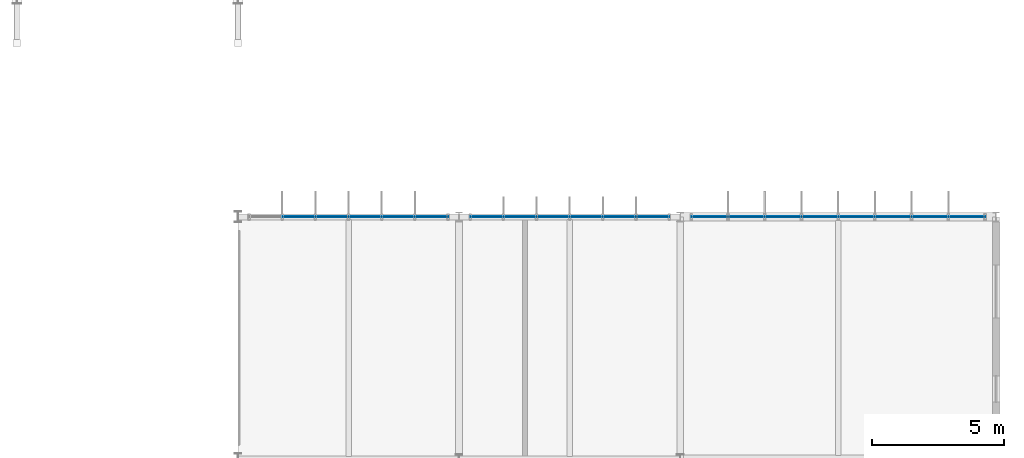
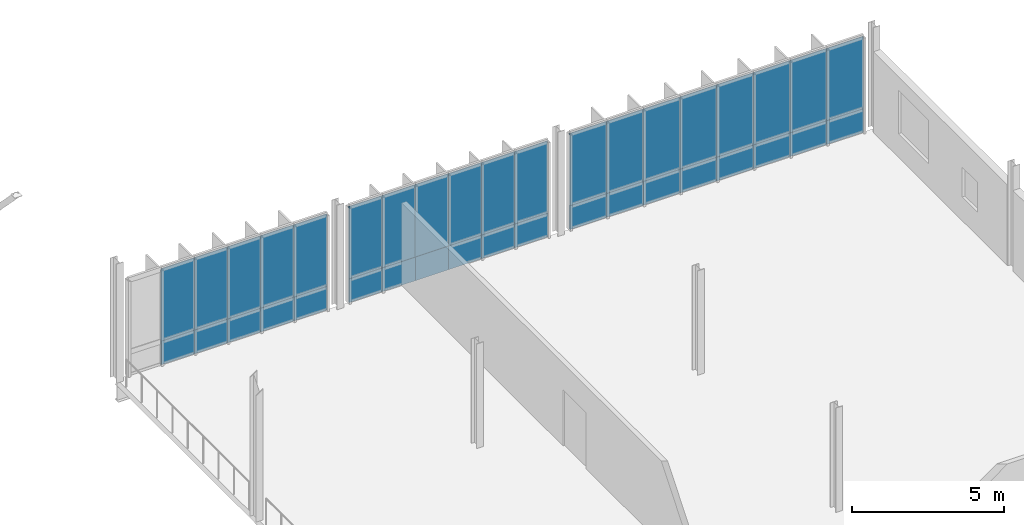
# One storey, part 81 of 107: 38 plates, 3 elements without a shape of their own.
"""IFC4 building model written with IfcOpenShell, lengths in metres."""

from ifc_helpers import new_model, si_unit, derived_unit, direction, frame, origin, origin_2d, place, context, subcontext, project, spatial, rectangle, extrude, material, layer, layer_set, type_object, element, aggregate, save


model = new_model("IFC4")

# Units and contexts
model_context = context("Model", 3, precision=1e-05, world=origin(), true_north=direction((0.0, 1.0)))
body_context = subcontext(model_context, "Body", "Model", "MODEL_VIEW")
ifc_project = project(units=[si_unit("LENGTHUNIT", "METRE"), si_unit("AREAUNIT", "SQUARE_METRE"), si_unit("VOLUMEUNIT", "CUBIC_METRE"), si_unit("PLANEANGLEUNIT", "RADIAN"), si_unit("MASSUNIT", "GRAM", prefix="KILO"), derived_unit("THERMALTRANSMITTANCEUNIT", [(si_unit("MASSUNIT", "GRAM", prefix="KILO"), 1), (si_unit("TIMEUNIT", "SECOND"), -3), (si_unit("THERMODYNAMICTEMPERATUREUNIT", "KELVIN"), -1)])], contexts=[model_context])

# Site, building, storey
site_placement = place(None, origin())
site = spatial("IfcSite", under=ifc_project, at=site_placement, CompositionType="ELEMENT")
building_placement = place(site_placement, origin())
building = spatial("IfcBuilding", under=site, at=building_placement, Name="Makaiwela Harbour Ferry Terminal", CompositionType="ELEMENT")
storey_placement = place(building_placement, frame((0.0, 0.0, 9.60009765625)))
storey = spatial("IfcBuildingStorey", under=building, at=storey_placement, Name="L02", CompositionType="ELEMENT", Elevation=9.60009765625)

# Curtain wall, plates
ifc_material_1 = material(Name="Marine anodised aluminium 6063-T6", Category="aluminium")
ifc_layer_1 = layer(ifc_material_1, 0.199951171875)
ifc_layer_set_1 = layer_set([ifc_layer_1], Name="Marine anodised aluminium 6063-T6")
curtain_wall_type_1 = type_object("IfcCurtainWallType", Name="ENV-CW-09", PredefinedType="USERDEFINED", material=ifc_layer_set_1)
curtain_wall_1_placement = place(storey_placement, origin())
curtain_wall_1 = element("IfcCurtainWall", 1, at=curtain_wall_1_placement, inside=storey, type_object=curtain_wall_type_1, Name="Unitised Curtain Wall CWA-122", ObjectType="UNITIZED CURTAIN WALL", PredefinedType="USERDEFINED")
ifc_material_2 = material(Name="Laminated hurricane-impact low-E insulated glazing", Category="glass")
ifc_layer_2 = layer(ifc_material_2, 0.031982421875)
ifc_layer_set_2 = layer_set([ifc_layer_2], Name="Laminated hurricane-impact low-E insulated glazing")
plate_type_1 = type_object("IfcPlateType", Name="CW-PNL-G13", PredefinedType="CURTAIN_PANEL", material=ifc_layer_set_2)
plate_1_placement = place(storey_placement, frame((140.909912109375, 95.0, 0.949951171875), z_axis=(0.0, 0.0, 1.0), x_axis=(1.0, 0.0, 0.0)))
plate_1 = element("IfcPlate", 2, at=plate_1_placement, type_object=plate_type_1, Name="Glazed Vision Panel CWA-122-2G", PredefinedType="CURTAIN_PANEL", context=body_context, shape_type="SweptSolid", body=[
    extrude(rectangle(XDim=1.260009765625, YDim=0.031982421875, at=origin_2d()), origin(), (0.0, 0.0, 1.0), 2.89990234375),
])
plate_2_placement = place(storey_placement, frame((142.169921875, 95.0, 0.949951171875), z_axis=(0.0, 0.0, 1.0), x_axis=(1.0, 0.0, 0.0)))
plate_2 = element("IfcPlate", 3, at=plate_2_placement, type_object=plate_type_1, Name="Glazed Vision Panel CWA-122-3G", PredefinedType="CURTAIN_PANEL", context=body_context, shape_type="SweptSolid", body=[
    extrude(rectangle(XDim=1.260009765625, YDim=0.031982421875, at=origin_2d()), origin(), (0.0, 0.0, 1.0), 2.89990234375),
])
plate_3_placement = place(storey_placement, frame((143.429931640625, 95.0, 0.949951171875), z_axis=(0.0, 0.0, 1.0), x_axis=(1.0, 0.0, 0.0)))
plate_3 = element("IfcPlate", 4, at=plate_3_placement, type_object=plate_type_1, Name="Glazed Vision Panel CWA-122-4G", PredefinedType="CURTAIN_PANEL", context=body_context, shape_type="SweptSolid", body=[
    extrude(rectangle(XDim=1.260009765625, YDim=0.031982421875, at=origin_2d()), origin(), (0.0, 0.0, 1.0), 2.89990234375),
])
plate_4_placement = place(storey_placement, frame((144.68994140625, 95.0, 0.949951171875), z_axis=(0.0, 0.0, 1.0), x_axis=(1.0, 0.0, 0.0)))
plate_4 = element("IfcPlate", 5, at=plate_4_placement, type_object=plate_type_1, Name="Glazed Vision Panel CWA-122-5G", PredefinedType="CURTAIN_PANEL", context=body_context, shape_type="SweptSolid", body=[
    extrude(rectangle(XDim=1.260009765625, YDim=0.031982421875, at=origin_2d()), origin(), (0.0, 0.0, 1.0), 2.89990234375),
])
plate_5_placement = place(storey_placement, frame((145.949951171875, 95.0, 0.949951171875), z_axis=(0.0, 0.0, 1.0), x_axis=(1.0, 0.0, 0.0)))
plate_5 = element("IfcPlate", 6, at=plate_5_placement, type_object=plate_type_1, Name="Glazed Vision Panel CWA-122-6G", PredefinedType="CURTAIN_PANEL", context=body_context, shape_type="SweptSolid", body=[
    extrude(rectangle(XDim=1.260009765625, YDim=0.031982421875, at=origin_2d()), origin(), (0.0, 0.0, 1.0), 2.89990234375),
])

curtain_wall_2_placement = place(storey_placement, origin())
curtain_wall_2 = element("IfcCurtainWall", 7, at=curtain_wall_2_placement, inside=storey, type_object=curtain_wall_type_1, Name="Unitised Curtain Wall CWA-126", ObjectType="UNITIZED CURTAIN WALL", PredefinedType="USERDEFINED")
plate_6_placement = place(storey_placement, frame((148.050048828125, 95.0, 0.949951171875), z_axis=(0.0, 0.0, 1.0), x_axis=(1.0, 0.0, 0.0)))
plate_6 = element("IfcPlate", 8, at=plate_6_placement, type_object=plate_type_1, Name="Glazed Vision Panel CWA-126-1G", PredefinedType="CURTAIN_PANEL", context=body_context, shape_type="SweptSolid", body=[
    extrude(rectangle(XDim=1.260009765625, YDim=0.031982421875, at=origin_2d()), origin(), (0.0, 0.0, 1.0), 2.89990234375),
])
plate_7_placement = place(storey_placement, frame((149.31005859375, 95.0, 0.949951171875), z_axis=(0.0, 0.0, 1.0), x_axis=(1.0, 0.0, 0.0)))
plate_7 = element("IfcPlate", 9, at=plate_7_placement, type_object=plate_type_1, Name="Glazed Vision Panel CWA-126-2G", PredefinedType="CURTAIN_PANEL", context=body_context, shape_type="SweptSolid", body=[
    extrude(rectangle(XDim=1.260009765625, YDim=0.031982421875, at=origin_2d()), origin(), (0.0, 0.0, 1.0), 2.89990234375),
])
plate_8_placement = place(storey_placement, frame((150.570068359375, 95.0, 0.949951171875), z_axis=(0.0, 0.0, 1.0), x_axis=(1.0, 0.0, 0.0)))
plate_8 = element("IfcPlate", 10, at=plate_8_placement, type_object=plate_type_1, Name="Glazed Vision Panel CWA-126-3G", PredefinedType="CURTAIN_PANEL", context=body_context, shape_type="SweptSolid", body=[
    extrude(rectangle(XDim=1.260009765625, YDim=0.031982421875, at=origin_2d()), origin(), (0.0, 0.0, 1.0), 2.89990234375),
])
plate_9_placement = place(storey_placement, frame((151.830078125, 95.0, 0.949951171875), z_axis=(0.0, 0.0, 1.0), x_axis=(1.0, 0.0, 0.0)))
plate_9 = element("IfcPlate", 11, at=plate_9_placement, type_object=plate_type_1, Name="Glazed Vision Panel CWA-126-4G", PredefinedType="CURTAIN_PANEL", context=body_context, shape_type="SweptSolid", body=[
    extrude(rectangle(XDim=1.260009765625, YDim=0.031982421875, at=origin_2d()), origin(), (0.0, 0.0, 1.0), 2.89990234375),
])
plate_10_placement = place(storey_placement, frame((153.090087890625, 95.0, 0.949951171875), z_axis=(0.0, 0.0, 1.0), x_axis=(1.0, 0.0, 0.0)))
plate_10 = element("IfcPlate", 12, at=plate_10_placement, type_object=plate_type_1, Name="Glazed Vision Panel CWA-126-5G", PredefinedType="CURTAIN_PANEL", context=body_context, shape_type="SweptSolid", body=[
    extrude(rectangle(XDim=1.260009765625, YDim=0.031982421875, at=origin_2d()), origin(), (0.0, 0.0, 1.0), 2.89990234375),
])
plate_11_placement = place(storey_placement, frame((154.35009765625, 95.0, 0.949951171875), z_axis=(0.0, 0.0, 1.0), x_axis=(1.0, 0.0, 0.0)))
plate_11 = element("IfcPlate", 13, at=plate_11_placement, type_object=plate_type_1, Name="Glazed Vision Panel CWA-126-6G", PredefinedType="CURTAIN_PANEL", context=body_context, shape_type="SweptSolid", body=[
    extrude(rectangle(XDim=1.260009765625, YDim=0.031982421875, at=origin_2d()), origin(), (0.0, 0.0, 1.0), 2.89990234375),
])

ifc_layer_3 = layer(ifc_material_1, 0.199951171875)
ifc_layer_set_3 = layer_set([ifc_layer_3], Name="Marine anodised aluminium 6063-T6")
curtain_wall_type_2 = type_object("IfcCurtainWallType", Name="ENV-CW-18", PredefinedType="USERDEFINED", material=ifc_layer_set_3)
curtain_wall_3_placement = place(storey_placement, origin())
curtain_wall_3 = element("IfcCurtainWall", 14, at=curtain_wall_3_placement, inside=storey, type_object=curtain_wall_type_2, Name="Unitised Curtain Wall CWA-130", ObjectType="UNITIZED CURTAIN WALL", PredefinedType="USERDEFINED")
ifc_layer_4 = layer(ifc_material_2, 0.031982421875)
ifc_layer_set_4 = layer_set([ifc_layer_4], Name="Laminated hurricane-impact low-E insulated glazing")
plate_type_2 = type_object("IfcPlateType", Name="CW-PNL-G24", PredefinedType="CURTAIN_PANEL", material=ifc_layer_set_4)
plate_12_placement = place(storey_placement, frame((156.517578125, 95.0, 0.949951171875), z_axis=(0.0, 0.0, 1.0), x_axis=(1.0, 0.0, 0.0)))
plate_12 = element("IfcPlate", 15, at=plate_12_placement, type_object=plate_type_2, Name="Glazed Vision Panel CWA-130-1G", PredefinedType="CURTAIN_PANEL", context=body_context, shape_type="SweptSolid", body=[
    extrude(rectangle(XDim=1.39501953125, YDim=0.031982421875, at=origin_2d()), origin(), (0.0, 0.0, 1.0), 2.89990234375),
])
plate_13_placement = place(storey_placement, frame((157.91259765625, 95.0, 0.949951171875), z_axis=(0.0, 0.0, 1.0), x_axis=(1.0, 0.0, 0.0)))
plate_13 = element("IfcPlate", 16, at=plate_13_placement, type_object=plate_type_2, Name="Glazed Vision Panel CWA-130-2G", PredefinedType="CURTAIN_PANEL", context=body_context, shape_type="SweptSolid", body=[
    extrude(rectangle(XDim=1.39501953125, YDim=0.031982421875, at=origin_2d()), origin(), (0.0, 0.0, 1.0), 2.89990234375),
])
plate_14_placement = place(storey_placement, frame((159.3076171875, 95.0, 0.949951171875), z_axis=(0.0, 0.0, 1.0), x_axis=(1.0, 0.0, 0.0)))
plate_14 = element("IfcPlate", 17, at=plate_14_placement, type_object=plate_type_2, Name="Glazed Vision Panel CWA-130-3G", PredefinedType="CURTAIN_PANEL", context=body_context, shape_type="SweptSolid", body=[
    extrude(rectangle(XDim=1.39501953125, YDim=0.031982421875, at=origin_2d()), origin(), (0.0, 0.0, 1.0), 2.89990234375),
])
plate_15_placement = place(storey_placement, frame((160.702392578125, 95.0, 0.949951171875), z_axis=(0.0, 0.0, 1.0), x_axis=(1.0, 0.0, 0.0)))
plate_15 = element("IfcPlate", 18, at=plate_15_placement, type_object=plate_type_2, Name="Glazed Vision Panel CWA-130-4G", PredefinedType="CURTAIN_PANEL", context=body_context, shape_type="SweptSolid", body=[
    extrude(rectangle(XDim=1.39501953125, YDim=0.031982421875, at=origin_2d()), origin(), (0.0, 0.0, 1.0), 2.89990234375),
])
plate_16_placement = place(storey_placement, frame((162.097412109375, 95.0, 0.949951171875), z_axis=(0.0, 0.0, 1.0), x_axis=(1.0, 0.0, 0.0)))
plate_16 = element("IfcPlate", 19, at=plate_16_placement, type_object=plate_type_2, Name="Glazed Vision Panel CWA-130-5G", PredefinedType="CURTAIN_PANEL", context=body_context, shape_type="SweptSolid", body=[
    extrude(rectangle(XDim=1.39501953125, YDim=0.031982421875, at=origin_2d()), origin(), (0.0, 0.0, 1.0), 2.89990234375),
])
plate_17_placement = place(storey_placement, frame((163.492431640625, 95.0, 0.949951171875), z_axis=(0.0, 0.0, 1.0), x_axis=(1.0, 0.0, 0.0)))
plate_17 = element("IfcPlate", 20, at=plate_17_placement, type_object=plate_type_2, Name="Glazed Vision Panel CWA-130-6G", PredefinedType="CURTAIN_PANEL", context=body_context, shape_type="SweptSolid", body=[
    extrude(rectangle(XDim=1.39501953125, YDim=0.031982421875, at=origin_2d()), origin(), (0.0, 0.0, 1.0), 2.89990234375),
])
plate_18_placement = place(storey_placement, frame((164.887451171875, 95.0, 0.949951171875), z_axis=(0.0, 0.0, 1.0), x_axis=(1.0, 0.0, 0.0)))
plate_18 = element("IfcPlate", 21, at=plate_18_placement, type_object=plate_type_2, Name="Glazed Vision Panel CWA-130-7G", PredefinedType="CURTAIN_PANEL", context=body_context, shape_type="SweptSolid", body=[
    extrude(rectangle(XDim=1.39501953125, YDim=0.031982421875, at=origin_2d()), origin(), (0.0, 0.0, 1.0), 2.89990234375),
])
plate_19_placement = place(storey_placement, frame((166.282470703125, 95.0, 0.949951171875), z_axis=(0.0, 0.0, 1.0), x_axis=(1.0, 0.0, 0.0)))
plate_19 = element("IfcPlate", 22, at=plate_19_placement, type_object=plate_type_2, Name="Glazed Vision Panel CWA-130-8G", PredefinedType="CURTAIN_PANEL", context=body_context, shape_type="SweptSolid", body=[
    extrude(rectangle(XDim=1.39501953125, YDim=0.031982421875, at=origin_2d()), origin(), (0.0, 0.0, 1.0), 2.89990234375),
])

# Plate
ifc_material_3 = material(Name="Insulated marine aluminium spandrel panel", Category="aluminium")
ifc_layer_5 = layer(ifc_material_3, 0.048095703125)
ifc_layer_set_5 = layer_set([ifc_layer_5], Name="Insulated marine aluminium spandrel panel")
plate_type_3 = type_object("IfcPlateType", Name="CW-PNL-S11", PredefinedType="CURTAIN_PANEL", material=ifc_layer_set_5)
plate_20_placement = place(storey_placement, frame((140.909912109375, 95.0, 0.0), z_axis=(0.0, 0.0, 1.0), x_axis=(1.0, 0.0, 0.0)))
plate_20 = element("IfcPlate", 23, at=plate_20_placement, type_object=plate_type_3, Name="Spandrel Panel CWA-122-2S", PredefinedType="CURTAIN_PANEL", context=body_context, shape_type="SweptSolid", body=[
    extrude(rectangle(XDim=1.260009765625, YDim=0.048095703125, at=origin_2d()), origin(), (0.0, 0.0, 1.0), 0.949951171875),
])

plate_21_placement = place(storey_placement, frame((142.169921875, 95.0, 0.0), z_axis=(0.0, 0.0, 1.0), x_axis=(1.0, 0.0, 0.0)))
plate_21 = element("IfcPlate", 24, at=plate_21_placement, type_object=plate_type_3, Name="Spandrel Panel CWA-122-3S", PredefinedType="CURTAIN_PANEL", context=body_context, shape_type="SweptSolid", body=[
    extrude(rectangle(XDim=1.260009765625, YDim=0.048095703125, at=origin_2d()), origin(), (0.0, 0.0, 1.0), 0.949951171875),
])

plate_22_placement = place(storey_placement, frame((143.429931640625, 95.0, 0.0), z_axis=(0.0, 0.0, 1.0), x_axis=(1.0, 0.0, 0.0)))
plate_22 = element("IfcPlate", 25, at=plate_22_placement, type_object=plate_type_3, Name="Spandrel Panel CWA-122-4S", PredefinedType="CURTAIN_PANEL", context=body_context, shape_type="SweptSolid", body=[
    extrude(rectangle(XDim=1.260009765625, YDim=0.048095703125, at=origin_2d()), origin(), (0.0, 0.0, 1.0), 0.949951171875),
])

plate_23_placement = place(storey_placement, frame((144.68994140625, 95.0, 0.0), z_axis=(0.0, 0.0, 1.0), x_axis=(1.0, 0.0, 0.0)))
plate_23 = element("IfcPlate", 26, at=plate_23_placement, type_object=plate_type_3, Name="Spandrel Panel CWA-122-5S", PredefinedType="CURTAIN_PANEL", context=body_context, shape_type="SweptSolid", body=[
    extrude(rectangle(XDim=1.260009765625, YDim=0.048095703125, at=origin_2d()), origin(), (0.0, 0.0, 1.0), 0.949951171875),
])

plate_24_placement = place(storey_placement, frame((145.949951171875, 95.0, 0.0), z_axis=(0.0, 0.0, 1.0), x_axis=(1.0, 0.0, 0.0)))
plate_24 = element("IfcPlate", 27, at=plate_24_placement, type_object=plate_type_3, Name="Spandrel Panel CWA-122-6S", PredefinedType="CURTAIN_PANEL", context=body_context, shape_type="SweptSolid", body=[
    extrude(rectangle(XDim=1.260009765625, YDim=0.048095703125, at=origin_2d()), origin(), (0.0, 0.0, 1.0), 0.949951171875),
])

aggregate(curtain_wall_1, [plate_20, plate_1, plate_21, plate_2, plate_22, plate_3, plate_23, plate_4, plate_24, plate_5])

plate_25_placement = place(storey_placement, frame((148.050048828125, 95.0, 0.0), z_axis=(0.0, 0.0, 1.0), x_axis=(1.0, 0.0, 0.0)))
plate_25 = element("IfcPlate", 28, at=plate_25_placement, type_object=plate_type_3, Name="Spandrel Panel CWA-126-1S", PredefinedType="CURTAIN_PANEL", context=body_context, shape_type="SweptSolid", body=[
    extrude(rectangle(XDim=1.260009765625, YDim=0.048095703125, at=origin_2d()), origin(), (0.0, 0.0, 1.0), 0.949951171875),
])

plate_26_placement = place(storey_placement, frame((149.31005859375, 95.0, 0.0), z_axis=(0.0, 0.0, 1.0), x_axis=(1.0, 0.0, 0.0)))
plate_26 = element("IfcPlate", 29, at=plate_26_placement, type_object=plate_type_3, Name="Spandrel Panel CWA-126-2S", PredefinedType="CURTAIN_PANEL", context=body_context, shape_type="SweptSolid", body=[
    extrude(rectangle(XDim=1.260009765625, YDim=0.048095703125, at=origin_2d()), origin(), (0.0, 0.0, 1.0), 0.949951171875),
])

plate_27_placement = place(storey_placement, frame((150.570068359375, 95.0, 0.0), z_axis=(0.0, 0.0, 1.0), x_axis=(1.0, 0.0, 0.0)))
plate_27 = element("IfcPlate", 30, at=plate_27_placement, type_object=plate_type_3, Name="Spandrel Panel CWA-126-3S", PredefinedType="CURTAIN_PANEL", context=body_context, shape_type="SweptSolid", body=[
    extrude(rectangle(XDim=1.260009765625, YDim=0.048095703125, at=origin_2d()), origin(), (0.0, 0.0, 1.0), 0.949951171875),
])

plate_28_placement = place(storey_placement, frame((151.830078125, 95.0, 0.0), z_axis=(0.0, 0.0, 1.0), x_axis=(1.0, 0.0, 0.0)))
plate_28 = element("IfcPlate", 31, at=plate_28_placement, type_object=plate_type_3, Name="Spandrel Panel CWA-126-4S", PredefinedType="CURTAIN_PANEL", context=body_context, shape_type="SweptSolid", body=[
    extrude(rectangle(XDim=1.260009765625, YDim=0.048095703125, at=origin_2d()), origin(), (0.0, 0.0, 1.0), 0.949951171875),
])

plate_29_placement = place(storey_placement, frame((153.090087890625, 95.0, 0.0), z_axis=(0.0, 0.0, 1.0), x_axis=(1.0, 0.0, 0.0)))
plate_29 = element("IfcPlate", 32, at=plate_29_placement, type_object=plate_type_3, Name="Spandrel Panel CWA-126-5S", PredefinedType="CURTAIN_PANEL", context=body_context, shape_type="SweptSolid", body=[
    extrude(rectangle(XDim=1.260009765625, YDim=0.048095703125, at=origin_2d()), origin(), (0.0, 0.0, 1.0), 0.949951171875),
])

plate_30_placement = place(storey_placement, frame((154.35009765625, 95.0, 0.0), z_axis=(0.0, 0.0, 1.0), x_axis=(1.0, 0.0, 0.0)))
plate_30 = element("IfcPlate", 33, at=plate_30_placement, type_object=plate_type_3, Name="Spandrel Panel CWA-126-6S", PredefinedType="CURTAIN_PANEL", context=body_context, shape_type="SweptSolid", body=[
    extrude(rectangle(XDim=1.260009765625, YDim=0.048095703125, at=origin_2d()), origin(), (0.0, 0.0, 1.0), 0.949951171875),
])

aggregate(curtain_wall_2, [plate_25, plate_6, plate_26, plate_7, plate_27, plate_8, plate_28, plate_9, plate_29, plate_10, plate_30, plate_11])

ifc_layer_6 = layer(ifc_material_3, 0.048095703125)
ifc_layer_set_6 = layer_set([ifc_layer_6], Name="Insulated marine aluminium spandrel panel")
plate_type_4 = type_object("IfcPlateType", Name="CW-PNL-S21", PredefinedType="CURTAIN_PANEL", material=ifc_layer_set_6)
plate_31_placement = place(storey_placement, frame((156.517578125, 95.0, 0.0), z_axis=(0.0, 0.0, 1.0), x_axis=(1.0, 0.0, 0.0)))
plate_31 = element("IfcPlate", 34, at=plate_31_placement, type_object=plate_type_4, Name="Spandrel Panel CWA-130-1S", PredefinedType="CURTAIN_PANEL", context=body_context, shape_type="SweptSolid", body=[
    extrude(rectangle(XDim=1.39501953125, YDim=0.048095703125, at=origin_2d()), origin(), (0.0, 0.0, 1.0), 0.949951171875),
])

plate_32_placement = place(storey_placement, frame((157.91259765625, 95.0, 0.0), z_axis=(0.0, 0.0, 1.0), x_axis=(1.0, 0.0, 0.0)))
plate_32 = element("IfcPlate", 35, at=plate_32_placement, type_object=plate_type_4, Name="Spandrel Panel CWA-130-2S", PredefinedType="CURTAIN_PANEL", context=body_context, shape_type="SweptSolid", body=[
    extrude(rectangle(XDim=1.39501953125, YDim=0.048095703125, at=origin_2d()), origin(), (0.0, 0.0, 1.0), 0.949951171875),
])

plate_33_placement = place(storey_placement, frame((159.3076171875, 95.0, 0.0), z_axis=(0.0, 0.0, 1.0), x_axis=(1.0, 0.0, 0.0)))
plate_33 = element("IfcPlate", 36, at=plate_33_placement, type_object=plate_type_4, Name="Spandrel Panel CWA-130-3S", PredefinedType="CURTAIN_PANEL", context=body_context, shape_type="SweptSolid", body=[
    extrude(rectangle(XDim=1.39501953125, YDim=0.048095703125, at=origin_2d()), origin(), (0.0, 0.0, 1.0), 0.949951171875),
])

plate_34_placement = place(storey_placement, frame((160.702392578125, 95.0, 0.0), z_axis=(0.0, 0.0, 1.0), x_axis=(1.0, 0.0, 0.0)))
plate_34 = element("IfcPlate", 37, at=plate_34_placement, type_object=plate_type_4, Name="Spandrel Panel CWA-130-4S", PredefinedType="CURTAIN_PANEL", context=body_context, shape_type="SweptSolid", body=[
    extrude(rectangle(XDim=1.39501953125, YDim=0.048095703125, at=origin_2d()), origin(), (0.0, 0.0, 1.0), 0.949951171875),
])

plate_35_placement = place(storey_placement, frame((162.097412109375, 95.0, 0.0), z_axis=(0.0, 0.0, 1.0), x_axis=(1.0, 0.0, 0.0)))
plate_35 = element("IfcPlate", 38, at=plate_35_placement, type_object=plate_type_4, Name="Spandrel Panel CWA-130-5S", PredefinedType="CURTAIN_PANEL", context=body_context, shape_type="SweptSolid", body=[
    extrude(rectangle(XDim=1.39501953125, YDim=0.048095703125, at=origin_2d()), origin(), (0.0, 0.0, 1.0), 0.949951171875),
])

plate_36_placement = place(storey_placement, frame((163.492431640625, 95.0, 0.0), z_axis=(0.0, 0.0, 1.0), x_axis=(1.0, 0.0, 0.0)))
plate_36 = element("IfcPlate", 39, at=plate_36_placement, type_object=plate_type_4, Name="Spandrel Panel CWA-130-6S", PredefinedType="CURTAIN_PANEL", context=body_context, shape_type="SweptSolid", body=[
    extrude(rectangle(XDim=1.39501953125, YDim=0.048095703125, at=origin_2d()), origin(), (0.0, 0.0, 1.0), 0.949951171875),
])

plate_37_placement = place(storey_placement, frame((164.887451171875, 95.0, 0.0), z_axis=(0.0, 0.0, 1.0), x_axis=(1.0, 0.0, 0.0)))
plate_37 = element("IfcPlate", 40, at=plate_37_placement, type_object=plate_type_4, Name="Spandrel Panel CWA-130-7S", PredefinedType="CURTAIN_PANEL", context=body_context, shape_type="SweptSolid", body=[
    extrude(rectangle(XDim=1.39501953125, YDim=0.048095703125, at=origin_2d()), origin(), (0.0, 0.0, 1.0), 0.949951171875),
])

plate_38_placement = place(storey_placement, frame((166.282470703125, 95.0, 0.0), z_axis=(0.0, 0.0, 1.0), x_axis=(1.0, 0.0, 0.0)))
plate_38 = element("IfcPlate", 41, at=plate_38_placement, type_object=plate_type_4, Name="Spandrel Panel CWA-130-8S", PredefinedType="CURTAIN_PANEL", context=body_context, shape_type="SweptSolid", body=[
    extrude(rectangle(XDim=1.39501953125, YDim=0.048095703125, at=origin_2d()), origin(), (0.0, 0.0, 1.0), 0.949951171875),
])

aggregate(curtain_wall_3, [plate_31, plate_12, plate_32, plate_13, plate_33, plate_14, plate_34, plate_15, plate_35, plate_16, plate_36, plate_17, plate_37, plate_18, plate_38, plate_19])

save(model, "model.ifc")
